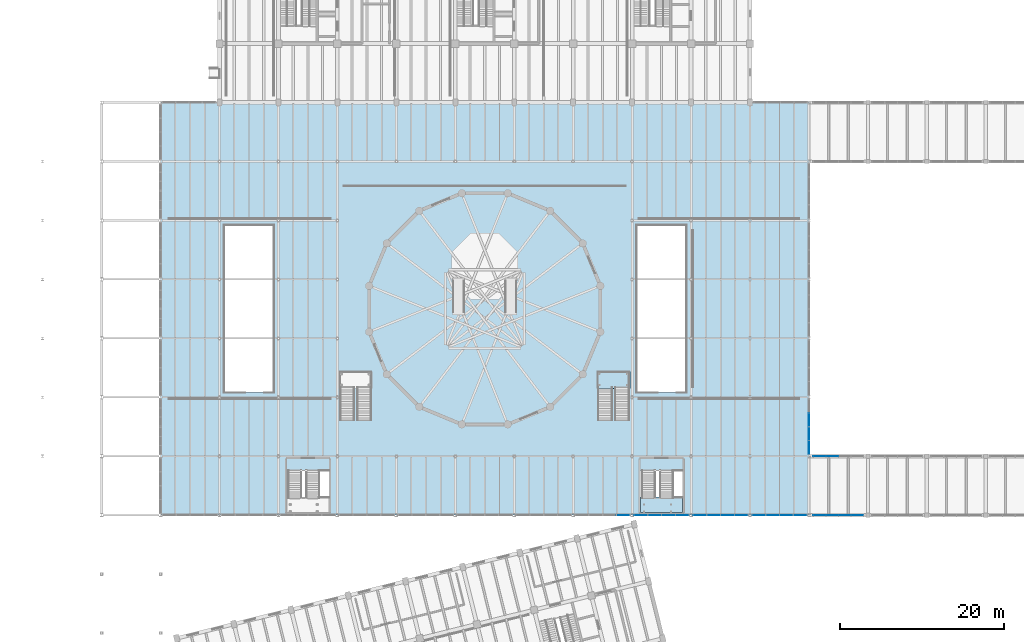
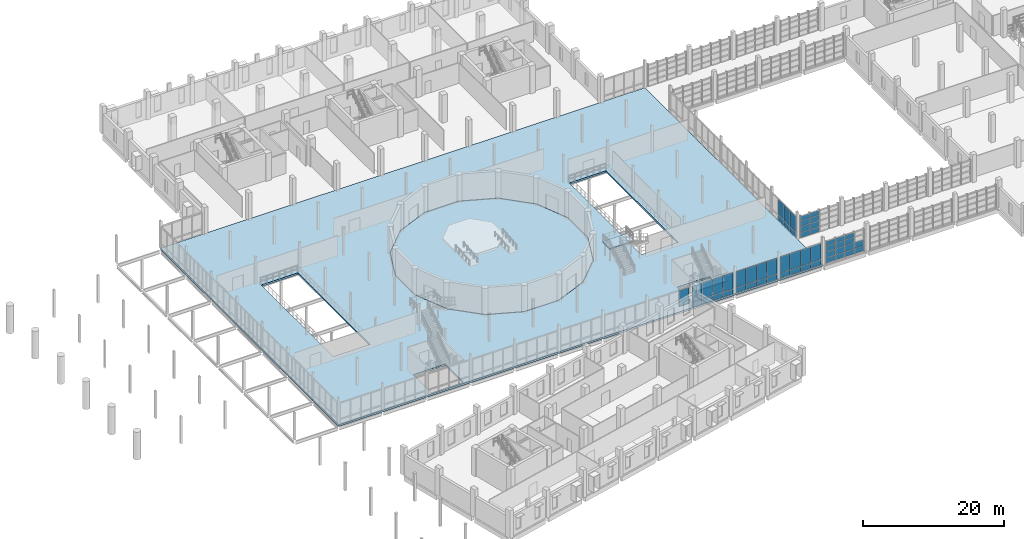
# One storey, part 50 of 77: 53 plates, 4 slabs, 9 elements without a shape of their own.
"""IFC4 building model written with IfcOpenShell, lengths in metres."""

from ifc_helpers import new_model, si_unit, direction, frame, frame_2d, origin, place, context, subcontext, project, spatial, polyline, rectangle, outline, extrude, material, layer, layer_set, type_object, element, aggregate, save


model = new_model("IFC4")

# Units and contexts
model_context = context("Model", 3, precision=1e-05, world=origin(), true_north=direction((0.0, 1.0)))
body_context = subcontext(model_context, "Body", "Model", "MODEL_VIEW")
ifc_project = project(units=[si_unit("LENGTHUNIT", "METRE"), si_unit("AREAUNIT", "SQUARE_METRE"), si_unit("VOLUMEUNIT", "CUBIC_METRE"), si_unit("PLANEANGLEUNIT", "RADIAN"), si_unit("MASSUNIT", "GRAM", prefix="KILO")], contexts=[model_context])

# Site, building, storey
site_placement = place(None, origin())
site = spatial("IfcSite", under=ifc_project, at=site_placement, CompositionType="ELEMENT")
building_placement = place(site_placement, origin())
building = spatial("IfcBuilding", under=site, at=building_placement, Name="Qiaolan Assembly House", CompositionType="ELEMENT")
storey_placement = place(building_placement, frame((0.0, 0.0, 5.39990234375)))
storey = spatial("IfcBuildingStorey", under=building, at=storey_placement, Name="L01", CompositionType="ELEMENT", Elevation=5.39990234375)

# Curtain wall, plates
ifc_material_1 = material(Name="Anodised bronze aluminium", Category="aluminium")
curtain_wall_type_1 = type_object("IfcCurtainWallType", Name="CW-CLOISTER-420", PredefinedType="NOTDEFINED", material=ifc_material_1)
curtain_wall_1_placement = place(storey_placement, origin())
curtain_wall_1 = element("IfcCurtainWall", 1, at=curtain_wall_1_placement, inside=storey, type_object=curtain_wall_type_1, Name="CW-05 South Cloister outer arcade L01-1", PredefinedType="NOTDEFINED")
ifc_material_2 = material(Name="Low-E double insulating glass", Category="glass")
ifc_layer_1 = layer(ifc_material_2, 0.02587890625)
ifc_layer_set_1 = layer_set([ifc_layer_1], Name="Low-E double insulating glass")
plate_type_1 = type_object("IfcPlateType", Name="CW-CLOISTER-420-PNL", PredefinedType="CURTAIN_PANEL", material=ifc_layer_set_1)
plate_1_placement = place(storey_placement, frame((108.547119140625, 36.0, 0.052978515625), z_axis=(0.0, 0.0, 1.0), x_axis=(1.0, 0.0, 0.0)))
plate_1 = element("IfcPlate", 2, at=plate_1_placement, type_object=plate_type_1, Name="GL-06 glazing panel CW-CLS-OUT-L01-0-1", PredefinedType="CURTAIN_PANEL", context=body_context, shape_type="SweptSolid", body=[
    extrude(rectangle(XDim=1.48583984375, YDim=0.02587890625, at=frame_2d((0.742919921875, 0.0))), origin(), (0.0, 0.0, 1.0), 0.8740234375),
])
plate_2_placement = place(storey_placement, frame((108.547119140625, 36.0, 0.97314453125), z_axis=(0.0, 0.0, 1.0), x_axis=(1.0, 0.0, 0.0)))
plate_2 = element("IfcPlate", 3, at=plate_2_placement, type_object=plate_type_1, Name="GL-06 glazing panel CW-CLS-OUT-L01-0-2", PredefinedType="CURTAIN_PANEL", context=body_context, shape_type="SweptSolid", body=[
    extrude(rectangle(XDim=1.48583984375, YDim=0.02587890625, at=frame_2d((0.742919921875, 0.0))), origin(), (0.0, 0.0, 1.0), 0.990234375),
])
plate_3_placement = place(storey_placement, frame((108.547119140625, 36.0, 2.009521484375), z_axis=(0.0, 0.0, 1.0), x_axis=(1.0, 0.0, 0.0)))
plate_3 = element("IfcPlate", 4, at=plate_3_placement, type_object=plate_type_1, Name="GL-06 glazing panel CW-CLS-OUT-L01-0-3", PredefinedType="CURTAIN_PANEL", context=body_context, shape_type="SweptSolid", body=[
    extrude(rectangle(XDim=1.48583984375, YDim=0.02587890625, at=frame_2d((0.742919921875, 0.0))), origin(), (0.0, 0.0, 1.0), 0.9375),
])
plate_4_placement = place(storey_placement, frame((108.547119140625, 36.0, 2.9931640625), z_axis=(0.0, 0.0, 1.0), x_axis=(1.0, 0.0, 0.0)))
plate_4 = element("IfcPlate", 5, at=plate_4_placement, type_object=plate_type_1, Name="GL-06 glazing panel CW-CLS-OUT-L01-0-4", PredefinedType="CURTAIN_PANEL", context=body_context, shape_type="SweptSolid", body=[
    extrude(rectangle(XDim=1.48583984375, YDim=0.02587890625, at=frame_2d((0.742919921875, 0.0))), origin(), (0.0, 0.0, 1.0), 0.77392578125),
])
plate_5_placement = place(storey_placement, frame((110.0869140625, 36.0, 0.052978515625), z_axis=(0.0, 0.0, 1.0), x_axis=(1.0, 0.0, 0.0)))
plate_5 = element("IfcPlate", 6, at=plate_5_placement, type_object=plate_type_1, Name="GL-06 glazing panel CW-CLS-OUT-L01-0-5", PredefinedType="CURTAIN_PANEL", context=body_context, shape_type="SweptSolid", body=[
    extrude(rectangle(XDim=1.486083984375, YDim=0.02587890625, at=frame_2d((0.7431640625, 0.0))), origin(), (0.0, 0.0, 1.0), 0.8740234375),
])
plate_6_placement = place(storey_placement, frame((110.0869140625, 36.0, 0.97314453125), z_axis=(0.0, 0.0, 1.0), x_axis=(1.0, 0.0, 0.0)))
plate_6 = element("IfcPlate", 7, at=plate_6_placement, type_object=plate_type_1, Name="GL-06 glazing panel CW-CLS-OUT-L01-0-6", PredefinedType="CURTAIN_PANEL", context=body_context, shape_type="SweptSolid", body=[
    extrude(rectangle(XDim=1.486083984375, YDim=0.02587890625, at=frame_2d((0.7431640625, 0.0))), origin(), (0.0, 0.0, 1.0), 0.990234375),
])
plate_7_placement = place(storey_placement, frame((110.0869140625, 36.0, 2.009521484375), z_axis=(0.0, 0.0, 1.0), x_axis=(1.0, 0.0, 0.0)))
plate_7 = element("IfcPlate", 8, at=plate_7_placement, type_object=plate_type_1, Name="GL-06 glazing panel CW-CLS-OUT-L01-0-7", PredefinedType="CURTAIN_PANEL", context=body_context, shape_type="SweptSolid", body=[
    extrude(rectangle(XDim=1.486083984375, YDim=0.02587890625, at=frame_2d((0.7431640625, 0.0))), origin(), (0.0, 0.0, 1.0), 0.9375),
])
plate_8_placement = place(storey_placement, frame((110.0869140625, 36.0, 2.9931640625), z_axis=(0.0, 0.0, 1.0), x_axis=(1.0, 0.0, 0.0)))
plate_8 = element("IfcPlate", 9, at=plate_8_placement, type_object=plate_type_1, Name="GL-06 glazing panel CW-CLS-OUT-L01-0-8", PredefinedType="CURTAIN_PANEL", context=body_context, shape_type="SweptSolid", body=[
    extrude(rectangle(XDim=1.486083984375, YDim=0.02587890625, at=frame_2d((0.7431640625, 0.0))), origin(), (0.0, 0.0, 1.0), 0.77392578125),
])
plate_9_placement = place(storey_placement, frame((111.626953125, 36.0, 0.052978515625), z_axis=(0.0, 0.0, 1.0), x_axis=(1.0, 0.0, 0.0)))
plate_9 = element("IfcPlate", 10, at=plate_9_placement, type_object=plate_type_1, Name="GL-06 glazing panel CW-CLS-OUT-L01-0-9", PredefinedType="CURTAIN_PANEL", context=body_context, shape_type="SweptSolid", body=[
    extrude(rectangle(XDim=1.486083984375, YDim=0.02587890625, at=frame_2d((0.7431640625, 0.0))), origin(), (0.0, 0.0, 1.0), 0.8740234375),
])
plate_10_placement = place(storey_placement, frame((111.626953125, 36.0, 0.97314453125), z_axis=(0.0, 0.0, 1.0), x_axis=(1.0, 0.0, 0.0)))
plate_10 = element("IfcPlate", 11, at=plate_10_placement, type_object=plate_type_1, Name="GL-06 glazing panel CW-CLS-OUT-L01-0-10", PredefinedType="CURTAIN_PANEL", context=body_context, shape_type="SweptSolid", body=[
    extrude(rectangle(XDim=1.486083984375, YDim=0.02587890625, at=frame_2d((0.7431640625, 0.0))), origin(), (0.0, 0.0, 1.0), 0.990234375),
])
plate_11_placement = place(storey_placement, frame((111.626953125, 36.0, 2.009521484375), z_axis=(0.0, 0.0, 1.0), x_axis=(1.0, 0.0, 0.0)))
plate_11 = element("IfcPlate", 12, at=plate_11_placement, type_object=plate_type_1, Name="GL-06 glazing panel CW-CLS-OUT-L01-0-11", PredefinedType="CURTAIN_PANEL", context=body_context, shape_type="SweptSolid", body=[
    extrude(rectangle(XDim=1.486083984375, YDim=0.02587890625, at=frame_2d((0.7431640625, 0.0))), origin(), (0.0, 0.0, 1.0), 0.9375),
])
plate_12_placement = place(storey_placement, frame((111.626953125, 36.0, 2.9931640625), z_axis=(0.0, 0.0, 1.0), x_axis=(1.0, 0.0, 0.0)))
plate_12 = element("IfcPlate", 13, at=plate_12_placement, type_object=plate_type_1, Name="GL-06 glazing panel CW-CLS-OUT-L01-0-12", PredefinedType="CURTAIN_PANEL", context=body_context, shape_type="SweptSolid", body=[
    extrude(rectangle(XDim=1.486083984375, YDim=0.02587890625, at=frame_2d((0.7431640625, 0.0))), origin(), (0.0, 0.0, 1.0), 0.77392578125),
])
plate_13_placement = place(storey_placement, frame((113.1669921875, 36.0, 0.052978515625), z_axis=(0.0, 0.0, 1.0), x_axis=(1.0, 0.0, 0.0)))
plate_13 = element("IfcPlate", 14, at=plate_13_placement, type_object=plate_type_1, Name="GL-06 glazing panel CW-CLS-OUT-L01-0-13", PredefinedType="CURTAIN_PANEL", context=body_context, shape_type="SweptSolid", body=[
    extrude(rectangle(XDim=1.486083984375, YDim=0.02587890625, at=frame_2d((0.7431640625, 0.0))), origin(), (0.0, 0.0, 1.0), 0.8740234375),
])
plate_14_placement = place(storey_placement, frame((113.1669921875, 36.0, 0.97314453125), z_axis=(0.0, 0.0, 1.0), x_axis=(1.0, 0.0, 0.0)))
plate_14 = element("IfcPlate", 15, at=plate_14_placement, type_object=plate_type_1, Name="GL-06 glazing panel CW-CLS-OUT-L01-0-14", PredefinedType="CURTAIN_PANEL", context=body_context, shape_type="SweptSolid", body=[
    extrude(rectangle(XDim=1.486083984375, YDim=0.02587890625, at=frame_2d((0.7431640625, 0.0))), origin(), (0.0, 0.0, 1.0), 0.990234375),
])
aggregate(curtain_wall_1, [plate_1, plate_2, plate_3, plate_4, plate_5, plate_6, plate_7, plate_8, plate_9, plate_10, plate_11, plate_12, plate_13, plate_14])

curtain_wall_2_placement = place(storey_placement, origin())
curtain_wall_2 = element("IfcCurtainWall", 16, at=curtain_wall_2_placement, inside=storey, type_object=curtain_wall_type_1, Name="CW-05 South Cloister court arcade L01-1", PredefinedType="NOTDEFINED")
plate_15_placement = place(storey_placement, frame((111.572998046875, 43.199951171875, 0.052978515625), z_axis=(0.0, 0.0, 1.0), x_axis=(-1.0, 0.0, 0.0)))
plate_15 = element("IfcPlate", 17, at=plate_15_placement, type_object=plate_type_1, Name="GL-06 glazing panel CW-CLS-CRT-L01-0-9", PredefinedType="CURTAIN_PANEL", context=body_context, shape_type="SweptSolid", body=[
    extrude(rectangle(XDim=1.486083984375, YDim=0.02587890625, at=frame_2d((0.7431640625, 0.0))), origin(), (0.0, 0.0, 1.0), 0.8740234375),
])
plate_16_placement = place(storey_placement, frame((111.572998046875, 43.199951171875, 0.97314453125), z_axis=(0.0, 0.0, 1.0), x_axis=(-1.0, 0.0, 0.0)))
plate_16 = element("IfcPlate", 18, at=plate_16_placement, type_object=plate_type_1, Name="GL-06 glazing panel CW-CLS-CRT-L01-0-10", PredefinedType="CURTAIN_PANEL", context=body_context, shape_type="SweptSolid", body=[
    extrude(rectangle(XDim=1.486083984375, YDim=0.02587890625, at=frame_2d((0.7431640625, 0.0))), origin(), (0.0, 0.0, 1.0), 0.990234375),
])
plate_17_placement = place(storey_placement, frame((111.572998046875, 43.199951171875, 2.009521484375), z_axis=(0.0, 0.0, 1.0), x_axis=(-1.0, 0.0, 0.0)))
plate_17 = element("IfcPlate", 19, at=plate_17_placement, type_object=plate_type_1, Name="GL-06 glazing panel CW-CLS-CRT-L01-0-11", PredefinedType="CURTAIN_PANEL", context=body_context, shape_type="SweptSolid", body=[
    extrude(rectangle(XDim=1.486083984375, YDim=0.02587890625, at=frame_2d((0.7431640625, 0.0))), origin(), (0.0, 0.0, 1.0), 0.9375),
])
plate_18_placement = place(storey_placement, frame((111.572998046875, 43.199951171875, 2.9931640625), z_axis=(0.0, 0.0, 1.0), x_axis=(-1.0, 0.0, 0.0)))
plate_18 = element("IfcPlate", 20, at=plate_18_placement, type_object=plate_type_1, Name="GL-06 glazing panel CW-CLS-CRT-L01-0-12", PredefinedType="CURTAIN_PANEL", context=body_context, shape_type="SweptSolid", body=[
    extrude(rectangle(XDim=1.486083984375, YDim=0.02587890625, at=frame_2d((0.7431640625, 0.0))), origin(), (0.0, 0.0, 1.0), 0.77392578125),
])
plate_19_placement = place(storey_placement, frame((110.032958984375, 43.199951171875, 0.052978515625), z_axis=(0.0, 0.0, 1.0), x_axis=(-1.0, 0.0, 0.0)))
plate_19 = element("IfcPlate", 21, at=plate_19_placement, type_object=plate_type_1, Name="GL-06 glazing panel CW-CLS-CRT-L01-0-13", PredefinedType="CURTAIN_PANEL", context=body_context, shape_type="SweptSolid", body=[
    extrude(rectangle(XDim=1.48583984375, YDim=0.02587890625, at=frame_2d((0.742919921875, 0.0))), origin(), (0.0, 0.0, 1.0), 0.8740234375),
])
plate_20_placement = place(storey_placement, frame((110.032958984375, 43.199951171875, 0.97314453125), z_axis=(0.0, 0.0, 1.0), x_axis=(-1.0, 0.0, 0.0)))
plate_20 = element("IfcPlate", 22, at=plate_20_placement, type_object=plate_type_1, Name="GL-06 glazing panel CW-CLS-CRT-L01-0-14", PredefinedType="CURTAIN_PANEL", context=body_context, shape_type="SweptSolid", body=[
    extrude(rectangle(XDim=1.48583984375, YDim=0.02587890625, at=frame_2d((0.742919921875, 0.0))), origin(), (0.0, 0.0, 1.0), 0.990234375),
])
plate_21_placement = place(storey_placement, frame((110.032958984375, 43.199951171875, 2.009521484375), z_axis=(0.0, 0.0, 1.0), x_axis=(-1.0, 0.0, 0.0)))
plate_21 = element("IfcPlate", 23, at=plate_21_placement, type_object=plate_type_1, Name="GL-06 glazing panel CW-CLS-CRT-L01-0-15", PredefinedType="CURTAIN_PANEL", context=body_context, shape_type="SweptSolid", body=[
    extrude(rectangle(XDim=1.48583984375, YDim=0.02587890625, at=frame_2d((0.742919921875, 0.0))), origin(), (0.0, 0.0, 1.0), 0.9375),
])
plate_22_placement = place(storey_placement, frame((110.032958984375, 43.199951171875, 2.9931640625), z_axis=(0.0, 0.0, 1.0), x_axis=(-1.0, 0.0, 0.0)))
plate_22 = element("IfcPlate", 24, at=plate_22_placement, type_object=plate_type_1, Name="GL-06 glazing panel CW-CLS-CRT-L01-0-16", PredefinedType="CURTAIN_PANEL", context=body_context, shape_type="SweptSolid", body=[
    extrude(rectangle(XDim=1.48583984375, YDim=0.02587890625, at=frame_2d((0.742919921875, 0.0))), origin(), (0.0, 0.0, 1.0), 0.77392578125),
])
aggregate(curtain_wall_2, [plate_15, plate_16, plate_17, plate_18, plate_19, plate_20, plate_21, plate_22])

# Curtain wall, plate
curtain_wall_type_2 = type_object("IfcCurtainWallType", Name="CW-HALL-UPPER-480", PredefinedType="NOTDEFINED", material=ifc_material_1)
curtain_wall_3_placement = place(storey_placement, origin())
curtain_wall_3 = element("IfcCurtainWall", 25, at=curtain_wall_3_placement, inside=storey, type_object=curtain_wall_type_2, Name="CW-01 Hall South plaza curtain wall L01-8", PredefinedType="NOTDEFINED")
ifc_layer_2 = layer(ifc_material_2, 0.031982421875)
ifc_layer_set_2 = layer_set([ifc_layer_2], Name="Low-E double insulating glass")
plate_type_2 = type_object("IfcPlateType", Name="CW-HALL-UPPER-480-PNL", PredefinedType="CURTAIN_PANEL", material=ifc_layer_set_2)
plate_23_placement = place(storey_placement, frame((84.52490234375, 36.0, 0.97998046875), z_axis=(0.0, 0.0, 1.0), x_axis=(1.0, 0.0, 0.0)))
plate_23 = element("IfcPlate", 26, at=plate_23_placement, type_object=plate_type_2, Name="GL-02 glazing panel CW-HALL-S-L01-07-8", PredefinedType="CURTAIN_PANEL", context=body_context, shape_type="SweptSolid", body=[
    extrude(rectangle(XDim=1.6201171875, YDim=0.031982421875, at=frame_2d((0.81005859375, 0.0))), origin(), (0.0, 0.0, 1.0), 2.760009765625),
])
aggregate(curtain_wall_3, [plate_23])

# Curtain wall, plates
curtain_wall_4_placement = place(storey_placement, origin())
curtain_wall_4 = element("IfcCurtainWall", 27, at=curtain_wall_4_placement, inside=storey, type_object=curtain_wall_type_2, Name="CW-01 Hall South plaza curtain wall L01-9", PredefinedType="NOTDEFINED")
plate_24_placement = place(storey_placement, frame((86.655029296875, 36.0, 0.06005859375), z_axis=(0.0, 0.0, 1.0), x_axis=(1.0, 0.0, 0.0)))
plate_24 = element("IfcPlate", 28, at=plate_24_placement, type_object=plate_type_2, Name="GL-02 glazing panel CW-HALL-S-L01-08-1", PredefinedType="CURTAIN_PANEL", context=body_context, shape_type="SweptSolid", body=[
    extrude(rectangle(XDim=1.619873046875, YDim=0.031982421875, at=frame_2d((0.81005859375, 0.0))), origin(), (0.0, 0.0, 1.0), 0.860107421875),
])
plate_25_placement = place(storey_placement, frame((86.655029296875, 36.0, 0.97998046875), z_axis=(0.0, 0.0, 1.0), x_axis=(1.0, 0.0, 0.0)))
plate_25 = element("IfcPlate", 29, at=plate_25_placement, type_object=plate_type_2, Name="GL-02 glazing panel CW-HALL-S-L01-08-2", PredefinedType="CURTAIN_PANEL", context=body_context, shape_type="SweptSolid", body=[
    extrude(rectangle(XDim=1.619873046875, YDim=0.031982421875, at=frame_2d((0.81005859375, 0.0))), origin(), (0.0, 0.0, 1.0), 2.760009765625),
])
plate_26_placement = place(storey_placement, frame((88.344970703125, 36.0, 0.06005859375), z_axis=(0.0, 0.0, 1.0), x_axis=(1.0, 0.0, 0.0)))
plate_26 = element("IfcPlate", 30, at=plate_26_placement, type_object=plate_type_2, Name="GL-02 glazing panel CW-HALL-S-L01-08-3", PredefinedType="CURTAIN_PANEL", context=body_context, shape_type="SweptSolid", body=[
    extrude(rectangle(XDim=1.6201171875, YDim=0.031982421875, at=frame_2d((0.81005859375, 0.0))), origin(), (0.0, 0.0, 1.0), 0.860107421875),
])
plate_27_placement = place(storey_placement, frame((88.344970703125, 36.0, 0.97998046875), z_axis=(0.0, 0.0, 1.0), x_axis=(1.0, 0.0, 0.0)))
plate_27 = element("IfcPlate", 31, at=plate_27_placement, type_object=plate_type_2, Name="GL-02 glazing panel CW-HALL-S-L01-08-4", PredefinedType="CURTAIN_PANEL", context=body_context, shape_type="SweptSolid", body=[
    extrude(rectangle(XDim=1.6201171875, YDim=0.031982421875, at=frame_2d((0.81005859375, 0.0))), origin(), (0.0, 0.0, 1.0), 2.760009765625),
])
plate_28_placement = place(storey_placement, frame((90.034912109375, 36.0, 0.06005859375), z_axis=(0.0, 0.0, 1.0), x_axis=(1.0, 0.0, 0.0)))
plate_28 = element("IfcPlate", 32, at=plate_28_placement, type_object=plate_type_2, Name="GL-02 glazing panel CW-HALL-S-L01-08-5", PredefinedType="CURTAIN_PANEL", context=body_context, shape_type="SweptSolid", body=[
    extrude(rectangle(XDim=1.6201171875, YDim=0.031982421875, at=frame_2d((0.81005859375, 0.0))), origin(), (0.0, 0.0, 1.0), 0.860107421875),
])
plate_29_placement = place(storey_placement, frame((90.034912109375, 36.0, 0.97998046875), z_axis=(0.0, 0.0, 1.0), x_axis=(1.0, 0.0, 0.0)))
plate_29 = element("IfcPlate", 33, at=plate_29_placement, type_object=plate_type_2, Name="GL-02 glazing panel CW-HALL-S-L01-08-6", PredefinedType="CURTAIN_PANEL", context=body_context, shape_type="SweptSolid", body=[
    extrude(rectangle(XDim=1.6201171875, YDim=0.031982421875, at=frame_2d((0.81005859375, 0.0))), origin(), (0.0, 0.0, 1.0), 2.760009765625),
])
plate_30_placement = place(storey_placement, frame((91.72509765625, 36.0, 0.06005859375), z_axis=(0.0, 0.0, 1.0), x_axis=(1.0, 0.0, 0.0)))
plate_30 = element("IfcPlate", 34, at=plate_30_placement, type_object=plate_type_2, Name="GL-02 glazing panel CW-HALL-S-L01-08-7", PredefinedType="CURTAIN_PANEL", context=body_context, shape_type="SweptSolid", body=[
    extrude(rectangle(XDim=1.619873046875, YDim=0.031982421875, at=frame_2d((0.81005859375, 0.0))), origin(), (0.0, 0.0, 1.0), 0.860107421875),
])
plate_31_placement = place(storey_placement, frame((91.72509765625, 36.0, 0.97998046875), z_axis=(0.0, 0.0, 1.0), x_axis=(1.0, 0.0, 0.0)))
plate_31 = element("IfcPlate", 35, at=plate_31_placement, type_object=plate_type_2, Name="GL-02 glazing panel CW-HALL-S-L01-08-8", PredefinedType="CURTAIN_PANEL", context=body_context, shape_type="SweptSolid", body=[
    extrude(rectangle(XDim=1.619873046875, YDim=0.031982421875, at=frame_2d((0.81005859375, 0.0))), origin(), (0.0, 0.0, 1.0), 2.760009765625),
])
aggregate(curtain_wall_4, [plate_24, plate_25, plate_26, plate_27, plate_28, plate_29, plate_30, plate_31])

curtain_wall_5_placement = place(storey_placement, origin())
curtain_wall_5 = element("IfcCurtainWall", 36, at=curtain_wall_5_placement, inside=storey, type_object=curtain_wall_type_2, Name="CW-01 Hall South plaza curtain wall L01-10", PredefinedType="NOTDEFINED")
plate_32_placement = place(storey_placement, frame((93.85498046875, 36.0, 0.06005859375), z_axis=(0.0, 0.0, 1.0), x_axis=(1.0, 0.0, 0.0)))
plate_32 = element("IfcPlate", 37, at=plate_32_placement, type_object=plate_type_2, Name="GL-02 glazing panel CW-HALL-S-L01-09-1", PredefinedType="CURTAIN_PANEL", context=body_context, shape_type="SweptSolid", body=[
    extrude(rectangle(XDim=1.6201171875, YDim=0.031982421875, at=frame_2d((0.81005859375, 0.0))), origin(), (0.0, 0.0, 1.0), 0.860107421875),
])
plate_33_placement = place(storey_placement, frame((93.85498046875, 36.0, 0.97998046875), z_axis=(0.0, 0.0, 1.0), x_axis=(1.0, 0.0, 0.0)))
plate_33 = element("IfcPlate", 38, at=plate_33_placement, type_object=plate_type_2, Name="GL-02 glazing panel CW-HALL-S-L01-09-2", PredefinedType="CURTAIN_PANEL", context=body_context, shape_type="SweptSolid", body=[
    extrude(rectangle(XDim=1.6201171875, YDim=0.031982421875, at=frame_2d((0.81005859375, 0.0))), origin(), (0.0, 0.0, 1.0), 2.760009765625),
])
plate_34_placement = place(storey_placement, frame((95.544921875, 36.0, 0.06005859375), z_axis=(0.0, 0.0, 1.0), x_axis=(1.0, 0.0, 0.0)))
plate_34 = element("IfcPlate", 39, at=plate_34_placement, type_object=plate_type_2, Name="GL-02 glazing panel CW-HALL-S-L01-09-3", PredefinedType="CURTAIN_PANEL", context=body_context, shape_type="SweptSolid", body=[
    extrude(rectangle(XDim=1.6201171875, YDim=0.031982421875, at=frame_2d((0.81005859375, 0.0))), origin(), (0.0, 0.0, 1.0), 0.860107421875),
])
plate_35_placement = place(storey_placement, frame((95.544921875, 36.0, 0.97998046875), z_axis=(0.0, 0.0, 1.0), x_axis=(1.0, 0.0, 0.0)))
plate_35 = element("IfcPlate", 40, at=plate_35_placement, type_object=plate_type_2, Name="GL-02 glazing panel CW-HALL-S-L01-09-4", PredefinedType="CURTAIN_PANEL", context=body_context, shape_type="SweptSolid", body=[
    extrude(rectangle(XDim=1.6201171875, YDim=0.031982421875, at=frame_2d((0.81005859375, 0.0))), origin(), (0.0, 0.0, 1.0), 2.760009765625),
])
plate_36_placement = place(storey_placement, frame((97.235107421875, 36.0, 0.06005859375), z_axis=(0.0, 0.0, 1.0), x_axis=(1.0, 0.0, 0.0)))
plate_36 = element("IfcPlate", 41, at=plate_36_placement, type_object=plate_type_2, Name="GL-02 glazing panel CW-HALL-S-L01-09-5", PredefinedType="CURTAIN_PANEL", context=body_context, shape_type="SweptSolid", body=[
    extrude(rectangle(XDim=1.619873046875, YDim=0.031982421875, at=frame_2d((0.81005859375, 0.0))), origin(), (0.0, 0.0, 1.0), 0.860107421875),
])
plate_37_placement = place(storey_placement, frame((97.235107421875, 36.0, 0.97998046875), z_axis=(0.0, 0.0, 1.0), x_axis=(1.0, 0.0, 0.0)))
plate_37 = element("IfcPlate", 42, at=plate_37_placement, type_object=plate_type_2, Name="GL-02 glazing panel CW-HALL-S-L01-09-6", PredefinedType="CURTAIN_PANEL", context=body_context, shape_type="SweptSolid", body=[
    extrude(rectangle(XDim=1.619873046875, YDim=0.031982421875, at=frame_2d((0.81005859375, 0.0))), origin(), (0.0, 0.0, 1.0), 2.760009765625),
])
plate_38_placement = place(storey_placement, frame((98.925048828125, 36.0, 0.06005859375), z_axis=(0.0, 0.0, 1.0), x_axis=(1.0, 0.0, 0.0)))
plate_38 = element("IfcPlate", 43, at=plate_38_placement, type_object=plate_type_2, Name="GL-02 glazing panel CW-HALL-S-L01-09-7", PredefinedType="CURTAIN_PANEL", context=body_context, shape_type="SweptSolid", body=[
    extrude(rectangle(XDim=1.619873046875, YDim=0.031982421875, at=frame_2d((0.81005859375, 0.0))), origin(), (0.0, 0.0, 1.0), 0.860107421875),
])
plate_39_placement = place(storey_placement, frame((98.925048828125, 36.0, 0.97998046875), z_axis=(0.0, 0.0, 1.0), x_axis=(1.0, 0.0, 0.0)))
plate_39 = element("IfcPlate", 44, at=plate_39_placement, type_object=plate_type_2, Name="GL-02 glazing panel CW-HALL-S-L01-09-8", PredefinedType="CURTAIN_PANEL", context=body_context, shape_type="SweptSolid", body=[
    extrude(rectangle(XDim=1.619873046875, YDim=0.031982421875, at=frame_2d((0.81005859375, 0.0))), origin(), (0.0, 0.0, 1.0), 2.760009765625),
])
aggregate(curtain_wall_5, [plate_32, plate_33, plate_34, plate_35, plate_36, plate_37, plate_38, plate_39])

curtain_wall_6_placement = place(storey_placement, origin())
curtain_wall_6 = element("IfcCurtainWall", 45, at=curtain_wall_6_placement, inside=storey, type_object=curtain_wall_type_2, Name="CW-01 Hall South plaza curtain wall L01-11", PredefinedType="NOTDEFINED")
plate_40_placement = place(storey_placement, frame((101.054931640625, 36.0, 0.06005859375), z_axis=(0.0, 0.0, 1.0), x_axis=(1.0, 0.0, 0.0)))
plate_40 = element("IfcPlate", 46, at=plate_40_placement, type_object=plate_type_2, Name="GL-02 glazing panel CW-HALL-S-L01-10-1", PredefinedType="CURTAIN_PANEL", context=body_context, shape_type="SweptSolid", body=[
    extrude(rectangle(XDim=1.6201171875, YDim=0.031982421875, at=frame_2d((0.81005859375, 0.0))), origin(), (0.0, 0.0, 1.0), 0.860107421875),
])
plate_41_placement = place(storey_placement, frame((101.054931640625, 36.0, 0.97998046875), z_axis=(0.0, 0.0, 1.0), x_axis=(1.0, 0.0, 0.0)))
plate_41 = element("IfcPlate", 47, at=plate_41_placement, type_object=plate_type_2, Name="GL-02 glazing panel CW-HALL-S-L01-10-2", PredefinedType="CURTAIN_PANEL", context=body_context, shape_type="SweptSolid", body=[
    extrude(rectangle(XDim=1.6201171875, YDim=0.031982421875, at=frame_2d((0.81005859375, 0.0))), origin(), (0.0, 0.0, 1.0), 2.760009765625),
])
plate_42_placement = place(storey_placement, frame((102.7451171875, 36.0, 0.06005859375), z_axis=(0.0, 0.0, 1.0), x_axis=(1.0, 0.0, 0.0)))
plate_42 = element("IfcPlate", 48, at=plate_42_placement, type_object=plate_type_2, Name="GL-02 glazing panel CW-HALL-S-L01-10-3", PredefinedType="CURTAIN_PANEL", context=body_context, shape_type="SweptSolid", body=[
    extrude(rectangle(XDim=1.619873046875, YDim=0.031982421875, at=frame_2d((0.81005859375, 0.0))), origin(), (0.0, 0.0, 1.0), 0.860107421875),
])
plate_43_placement = place(storey_placement, frame((102.7451171875, 36.0, 0.97998046875), z_axis=(0.0, 0.0, 1.0), x_axis=(1.0, 0.0, 0.0)))
plate_43 = element("IfcPlate", 49, at=plate_43_placement, type_object=plate_type_2, Name="GL-02 glazing panel CW-HALL-S-L01-10-4", PredefinedType="CURTAIN_PANEL", context=body_context, shape_type="SweptSolid", body=[
    extrude(rectangle(XDim=1.619873046875, YDim=0.031982421875, at=frame_2d((0.81005859375, 0.0))), origin(), (0.0, 0.0, 1.0), 2.760009765625),
])
plate_44_placement = place(storey_placement, frame((104.43505859375, 36.0, 0.06005859375), z_axis=(0.0, 0.0, 1.0), x_axis=(1.0, 0.0, 0.0)))
plate_44 = element("IfcPlate", 50, at=plate_44_placement, type_object=plate_type_2, Name="GL-02 glazing panel CW-HALL-S-L01-10-5", PredefinedType="CURTAIN_PANEL", context=body_context, shape_type="SweptSolid", body=[
    extrude(rectangle(XDim=1.619873046875, YDim=0.031982421875, at=frame_2d((0.81005859375, 0.0))), origin(), (0.0, 0.0, 1.0), 0.860107421875),
])
plate_45_placement = place(storey_placement, frame((104.43505859375, 36.0, 0.97998046875), z_axis=(0.0, 0.0, 1.0), x_axis=(1.0, 0.0, 0.0)))
plate_45 = element("IfcPlate", 51, at=plate_45_placement, type_object=plate_type_2, Name="GL-02 glazing panel CW-HALL-S-L01-10-6", PredefinedType="CURTAIN_PANEL", context=body_context, shape_type="SweptSolid", body=[
    extrude(rectangle(XDim=1.619873046875, YDim=0.031982421875, at=frame_2d((0.81005859375, 0.0))), origin(), (0.0, 0.0, 1.0), 2.760009765625),
])
plate_46_placement = place(storey_placement, frame((106.125, 36.0, 0.06005859375), z_axis=(0.0, 0.0, 1.0), x_axis=(1.0, 0.0, 0.0)))
plate_46 = element("IfcPlate", 52, at=plate_46_placement, type_object=plate_type_2, Name="GL-02 glazing panel CW-HALL-S-L01-10-7", PredefinedType="CURTAIN_PANEL", context=body_context, shape_type="SweptSolid", body=[
    extrude(rectangle(XDim=1.6201171875, YDim=0.031982421875, at=frame_2d((0.81005859375, 0.0))), origin(), (0.0, 0.0, 1.0), 0.860107421875),
])
plate_47_placement = place(storey_placement, frame((106.125, 36.0, 0.97998046875), z_axis=(0.0, 0.0, 1.0), x_axis=(1.0, 0.0, 0.0)))
plate_47 = element("IfcPlate", 53, at=plate_47_placement, type_object=plate_type_2, Name="GL-02 glazing panel CW-HALL-S-L01-10-8", PredefinedType="CURTAIN_PANEL", context=body_context, shape_type="SweptSolid", body=[
    extrude(rectangle(XDim=1.6201171875, YDim=0.031982421875, at=frame_2d((0.81005859375, 0.0))), origin(), (0.0, 0.0, 1.0), 2.760009765625),
])
aggregate(curtain_wall_6, [plate_40, plate_41, plate_42, plate_43, plate_44, plate_45, plate_46, plate_47])

curtain_wall_7_placement = place(storey_placement, origin())
curtain_wall_7 = element("IfcCurtainWall", 54, at=curtain_wall_7_placement, inside=storey, type_object=curtain_wall_type_2, Name="CW-01 Hall East court curtain wall L01-1", PredefinedType="NOTDEFINED")
plate_48_placement = place(storey_placement, frame((108.0, 48.455078125, 0.06005859375), z_axis=(0.0, 0.0, 1.0), x_axis=(0.0, -1.0, 0.0)))
plate_48 = element("IfcPlate", 55, at=plate_48_placement, type_object=plate_type_2, Name="GL-02 glazing panel CW-HALL-E-L01-00-3", PredefinedType="CURTAIN_PANEL", context=body_context, shape_type="SweptSolid", body=[
    extrude(rectangle(XDim=1.6201171875, YDim=0.031982421875, at=frame_2d((0.81005859375, 0.0))), origin(), (0.0, 0.0, 1.0), 0.860107421875),
])
plate_49_placement = place(storey_placement, frame((108.0, 48.455078125, 0.97998046875), z_axis=(0.0, 0.0, 1.0), x_axis=(0.0, -1.0, 0.0)))
plate_49 = element("IfcPlate", 56, at=plate_49_placement, type_object=plate_type_2, Name="GL-02 glazing panel CW-HALL-E-L01-00-4", PredefinedType="CURTAIN_PANEL", context=body_context, shape_type="SweptSolid", body=[
    extrude(rectangle(XDim=1.6201171875, YDim=0.031982421875, at=frame_2d((0.81005859375, 0.0))), origin(), (0.0, 0.0, 1.0), 2.760009765625),
])
plate_50_placement = place(storey_placement, frame((108.0, 46.764892578125, 0.06005859375), z_axis=(0.0, 0.0, 1.0), x_axis=(0.0, -1.0, 0.0)))
plate_50 = element("IfcPlate", 57, at=plate_50_placement, type_object=plate_type_2, Name="GL-02 glazing panel CW-HALL-E-L01-00-5", PredefinedType="CURTAIN_PANEL", context=body_context, shape_type="SweptSolid", body=[
    extrude(rectangle(XDim=1.619873046875, YDim=0.031982421875, at=frame_2d((0.81005859375, 0.0))), origin(), (0.0, 0.0, 1.0), 0.860107421875),
])
plate_51_placement = place(storey_placement, frame((108.0, 46.764892578125, 0.97998046875), z_axis=(0.0, 0.0, 1.0), x_axis=(0.0, -1.0, 0.0)))
plate_51 = element("IfcPlate", 58, at=plate_51_placement, type_object=plate_type_2, Name="GL-02 glazing panel CW-HALL-E-L01-00-6", PredefinedType="CURTAIN_PANEL", context=body_context, shape_type="SweptSolid", body=[
    extrude(rectangle(XDim=1.619873046875, YDim=0.031982421875, at=frame_2d((0.81005859375, 0.0))), origin(), (0.0, 0.0, 1.0), 2.760009765625),
])
plate_52_placement = place(storey_placement, frame((108.0, 45.074951171875, 0.06005859375), z_axis=(0.0, 0.0, 1.0), x_axis=(0.0, -1.0, 0.0)))
plate_52 = element("IfcPlate", 59, at=plate_52_placement, type_object=plate_type_2, Name="GL-02 glazing panel CW-HALL-E-L01-00-7", PredefinedType="CURTAIN_PANEL", context=body_context, shape_type="SweptSolid", body=[
    extrude(rectangle(XDim=1.619873046875, YDim=0.031982421875, at=frame_2d((0.81005859375, 0.0))), origin(), (0.0, 0.0, 1.0), 0.860107421875),
])
plate_53_placement = place(storey_placement, frame((108.0, 45.074951171875, 0.97998046875), z_axis=(0.0, 0.0, 1.0), x_axis=(0.0, -1.0, 0.0)))
plate_53 = element("IfcPlate", 60, at=plate_53_placement, type_object=plate_type_2, Name="GL-02 glazing panel CW-HALL-E-L01-00-8", PredefinedType="CURTAIN_PANEL", context=body_context, shape_type="SweptSolid", body=[
    extrude(rectangle(XDim=1.619873046875, YDim=0.031982421875, at=frame_2d((0.81005859375, 0.0))), origin(), (0.0, 0.0, 1.0), 2.760009765625),
])
aggregate(curtain_wall_7, [plate_48, plate_49, plate_50, plate_51, plate_52, plate_53])

# Slabs
ifc_material_3 = material(Name="Concrete C45/55", Category="concrete")
ifc_layer_3 = layer(ifc_material_3, 0.2900390625)
ifc_layer_set_3 = layer_set([ifc_layer_3], Name="Concrete C45/55")
slab_type_1 = type_object("IfcSlabType", Name="SLB-CHAMBER-290", PredefinedType="FLOOR", material=ifc_layer_set_3)
slab_1_placement = place(storey_placement, frame((0.0, 0.0, -0.289794921875)))
element("IfcSlab", 61, at=slab_1_placement, inside=storey, type_object=slab_type_1, Name="FS-03 Council Chamber Main Floor Slab L01", PredefinedType="FLOOR", context=body_context, shape_type="SweptSolid", body=[
    extrude(outline(polyline([(82.523193359375, 64.00927734375), (80.373046875, 69.2001953125), (76.400146484375, 73.173095703125), (71.209228515625, 75.3232421875), (65.5908203125, 75.3232421875), (60.39990234375, 73.173095703125), (56.4267578125, 69.2001953125), (54.276611328125, 64.00927734375), (54.276611328125, 58.390625), (56.4267578125, 53.19970703125), (60.39990234375, 49.226806640625), (65.5908203125, 47.07666015625), (71.209228515625, 47.07666015625), (76.400146484375, 49.226806640625), (80.373046875, 53.19970703125), (82.523193359375, 58.390625), (82.523193359375, 64.00927734375)])), origin(), (0.0, 0.0, 1.0), 0.289794921875),
])
ifc_layer_4 = layer(ifc_material_3, 0.300048828125)
ifc_layer_set_4 = layer_set([ifc_layer_4], Name="Concrete C45/55")
slab_type_2 = type_object("IfcSlabType", Name="SLB-HALL-300", PredefinedType="FLOOR", material=ifc_layer_set_4)
slab_2_placement = place(storey_placement, frame((0.0, 0.0, -0.2998046875)))
element("IfcSlab", 62, at=slab_2_placement, inside=storey, type_object=slab_type_2, Name="FS-02 Central Public Hall Slab L01", PredefinedType="FLOOR", context=body_context, shape_type="SweptSolid", body=[
    extrude(outline(polyline([(28.800048828125, 36.0), (108.0, 36.0), (108.0, 86.39990234375), (28.800048828125, 86.39990234375), (28.800048828125, 36.0)]), holes=[polyline([(82.54296875, 58.38671875), (80.389892578125, 53.188720703125), (76.411376953125, 49.210205078125), (71.213134765625, 47.05712890625), (65.5869140625, 47.05712890625), (60.388671875, 49.210205078125), (56.41015625, 53.188720703125), (54.257080078125, 58.38671875), (54.257080078125, 64.01318359375), (56.41015625, 69.21142578125), (60.388671875, 73.189697265625), (65.5869140625, 75.343017578125), (71.213134765625, 75.343017578125), (76.411376953125, 73.189697265625), (80.389892578125, 69.21142578125), (82.54296875, 64.01318359375), (82.54296875, 58.38671875)]), polyline([(36.60009765625, 51.0), (36.60009765625, 71.39990234375), (42.60009765625, 71.39990234375), (42.60009765625, 51.0), (36.60009765625, 51.0)]), polyline([(87.0, 51.0), (87.0, 71.39990234375), (93.0, 71.39990234375), (93.0, 51.0), (87.0, 51.0)]), polyline([(44.199951171875, 36.320068359375), (44.199951171875, 41.449951171875), (49.39990234375, 41.449951171875), (49.39990234375, 36.320068359375), (44.199951171875, 36.320068359375)]), polyline([(87.39990234375, 36.320068359375), (87.39990234375, 41.449951171875), (92.60009765625, 41.449951171875), (92.60009765625, 36.320068359375), (87.39990234375, 36.320068359375)])]), origin(), (0.0, 0.0, 1.0), 0.2998046875),
])

# Stair, slab
ifc_material_4 = material(Name="Concrete C40/50", Category="concrete")
stair_type_1 = type_object("IfcStairType", Name="STR-FOYER-480", PredefinedType="HALF_TURN_STAIR", material=ifc_material_4)
stair_1_placement = place(storey_placement, origin())
stair_1 = element("IfcStair", 63, at=stair_1_placement, inside=storey, type_object=stair_type_1, Name="ST-10 Chamber Foyer Stair ST-F2", PredefinedType="HALF_TURN_STAIR")
ifc_layer_5 = layer(ifc_material_4, 0.199951171875)
ifc_layer_set_5 = layer_set([ifc_layer_5], Name="Concrete C40/50")
slab_type_3 = type_object("IfcSlabType", Name="SLB-LANDING-200", PredefinedType="LANDING", material=ifc_layer_set_5)
slab_3_placement = place(storey_placement, frame((0.0, 0.0, 2.2001953125)))
slab_3 = element("IfcSlab", 64, at=slab_3_placement, type_object=slab_type_3, Name="Stair landing LND-ST-F2-1", PredefinedType="LANDING", context=body_context, shape_type="SweptSolid", body=[
    extrude(outline(polyline([(87.419921875, 36.320068359375), (87.419921875, 38.2099609375), (92.580078125, 38.2099609375), (92.580078125, 36.320068359375), (87.419921875, 36.320068359375)])), origin(), (0.0, 0.0, 1.0), 0.199951171875),
])
aggregate(stair_1, [slab_3])

stair_type_2 = type_object("IfcStairType", Name="STR-GALLERY-480", PredefinedType="HALF_TURN_STAIR", material=ifc_material_4)
stair_2_placement = place(storey_placement, origin())
stair_2 = element("IfcStair", 65, at=stair_2_placement, inside=storey, type_object=stair_type_2, Name="ST-03 Chamber Public Gallery Stair ST-G2", PredefinedType="HALF_TURN_STAIR")
ifc_layer_6 = layer(ifc_material_4, 0.219970703125)
ifc_layer_set_6 = layer_set([ifc_layer_6], Name="Concrete C40/50")
slab_type_4 = type_object("IfcSlabType", Name="SLB-LANDING-220", PredefinedType="LANDING", material=ifc_layer_set_6)
slab_4_placement = place(storey_placement, frame((0.0, 0.0, 2.18017578125)))
slab_4 = element("IfcSlab", 66, at=slab_4_placement, type_object=slab_type_4, Name="Stair landing LND-ST-G2-1", PredefinedType="LANDING", context=body_context, shape_type="SweptSolid", body=[
    extrude(outline(polyline([(82.1201171875, 51.489990234375), (82.1201171875, 53.570068359375), (86.159912109375, 53.570068359375), (86.159912109375, 51.489990234375), (82.1201171875, 51.489990234375)])), origin(), (0.0, 0.0, 1.0), 0.219970703125),
])
aggregate(stair_2, [slab_4])

save(model, "model.ifc")
